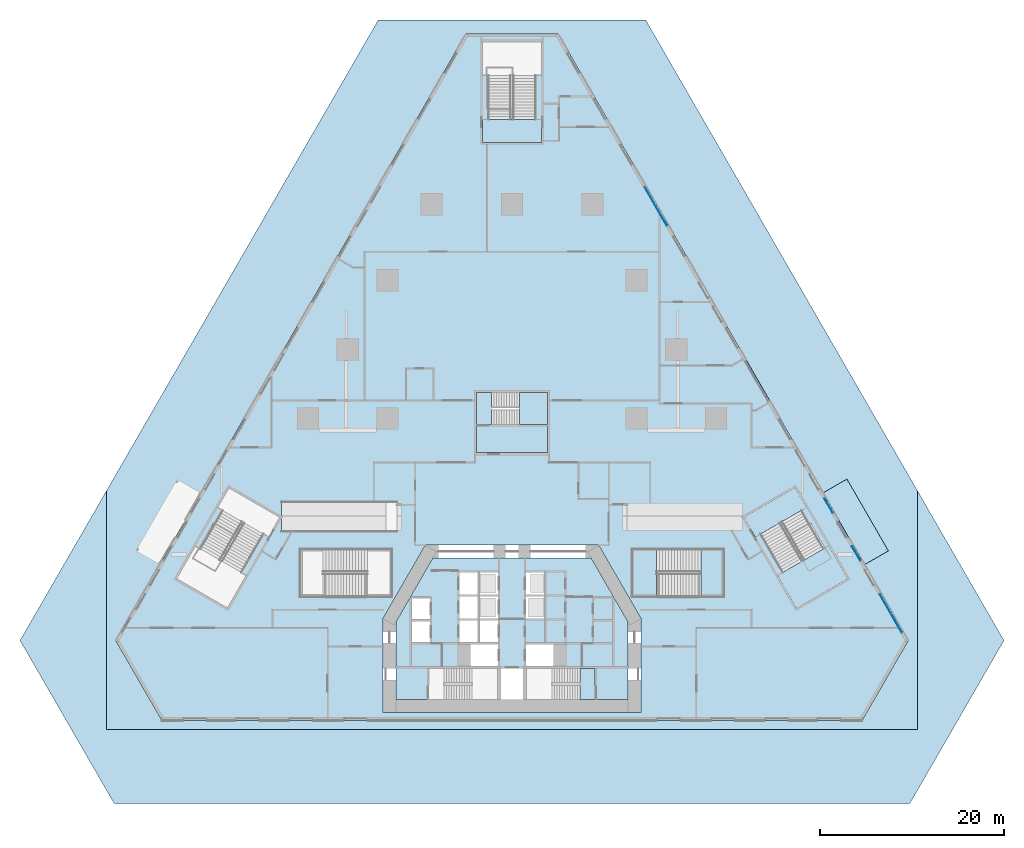
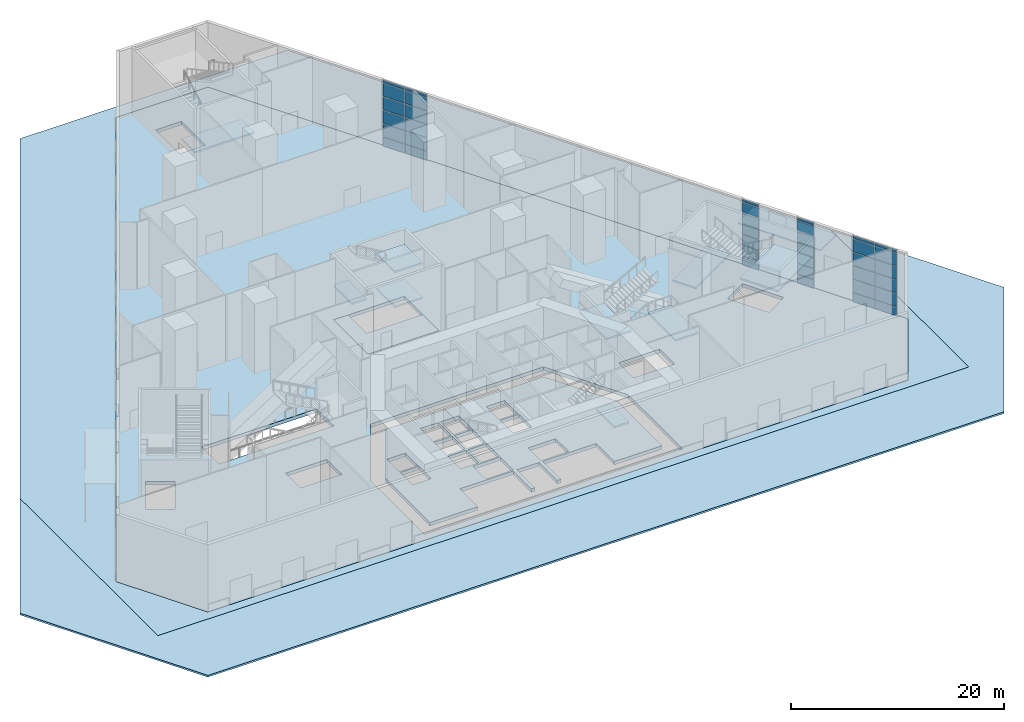
# One storey, part 10 of 24: 38 plates, 15 slabs, 9 elements without a shape of their own.
"""IFC4 building model written with IfcOpenShell, lengths in metres."""

from ifc_helpers import new_model, si_unit, direction, frame, origin, origin_2d, place, context, subcontext, project, spatial, polyline, rectangle, outline, extrude, material, layer, layer_set, type_object, element, aggregate, save


model = new_model("IFC4")

# Units and contexts
model_context = context("Model", 3, precision=1e-05, world=origin(), true_north=direction((0.0, 1.0)))
body_context = subcontext(model_context, "Body", "Model", "MODEL_VIEW")
ifc_project = project(units=[si_unit("LENGTHUNIT", "METRE"), si_unit("AREAUNIT", "SQUARE_METRE"), si_unit("VOLUMEUNIT", "CUBIC_METRE"), si_unit("PLANEANGLEUNIT", "RADIAN"), si_unit("MASSUNIT", "GRAM", prefix="KILO")], contexts=[model_context])

# Site, building, storey
site_placement = place(None, origin())
site = spatial("IfcSite", under=ifc_project, at=site_placement, CompositionType="ELEMENT")
building_placement = place(site_placement, origin())
building = spatial("IfcBuilding", under=site, at=building_placement, Name="Fogline Exchange Tower", CompositionType="ELEMENT")
storey_placement = place(building_placement, origin())
storey = spatial("IfcBuildingStorey", under=building, at=storey_placement, Name="L00", CompositionType="ELEMENT", Elevation=0.0)

# Slab
ifc_material_1 = material(Name="Steel Q355 grade B", Category="steel")
ifc_layer_1 = layer(ifc_material_1, 0.14990234375)
ifc_layer_set_1 = layer_set([ifc_layer_1], Name="CN1")
slab_type_1 = type_object("IfcSlabType", Name="CN1", PredefinedType="ROOF", material=ifc_layer_set_1)
slab_1_placement = place(storey_placement, frame((0.0, 0.0, 4.449951171875)))
element("IfcSlab", 1, at=slab_1_placement, inside=storey, type_object=slab_type_1, Name="Entrance canopy ST-E", PredefinedType="ROOF", context=body_context, shape_type="SweptSolid", body=[
    extrude(outline(polyline([(38.25, 16.887451171875), (40.84814453125, 18.387451171875), (36.34814453125, 26.181640625), (33.75, 24.681640625), (38.25, 16.887451171875)])), origin(), (0.0, 0.0, 1.0), 0.150146484375),
])

# Curtain wall, plates
ifc_material_2 = material(Name="Aluminium and glass", Category="aluminium")
curtain_wall_type_1 = type_object("IfcCurtainWallType", Name="CW1", PredefinedType="NOTDEFINED", material=ifc_material_2)
curtain_wall_1_placement = place(storey_placement, origin())
curtain_wall_1 = element("IfcCurtainWall", 2, at=curtain_wall_1_placement, inside=storey, type_object=curtain_wall_type_1, Name="CW1 L00 E run 2", PredefinedType="NOTDEFINED")
ifc_material_3 = material(Name="Glass", Category="glass")
ifc_layer_2 = layer(ifc_material_3, 0.035888671875)
ifc_layer_set_2 = layer_set([ifc_layer_2], Name="CW1-P")
plate_type_1 = type_object("IfcPlateType", Name="CW1-P", PredefinedType="CURTAIN_PANEL", material=ifc_layer_set_2)
plate_1_placement = place(storey_placement, frame((37.352783203125, 18.1015625, 0.080078125), z_axis=(0.0, 0.0, 1.0), x_axis=(-0.499999514416, 0.866025684137, 0.0)))
plate_1 = element("IfcPlate", 3, at=plate_1_placement, type_object=plate_type_1, Name="CW1-P00-01 panel 1.1", PredefinedType="CURTAIN_PANEL", context=body_context, shape_type="SweptSolid", body=[
    extrude(rectangle(XDim=1.764892578125, YDim=0.035888671875, at=origin_2d()), origin(), (0.0, 0.0, 1.0), 0.97998046875),
])
plate_2_placement = place(storey_placement, frame((37.352783203125, 18.1015625, 1.14013671875), z_axis=(0.0, 0.0, 1.0), x_axis=(-0.499999514416, 0.866025684137, 0.0)))
plate_2 = element("IfcPlate", 4, at=plate_2_placement, type_object=plate_type_1, Name="CW1-P00-01 panel 1.2", PredefinedType="CURTAIN_PANEL", context=body_context, shape_type="SweptSolid", body=[
    extrude(rectangle(XDim=1.764892578125, YDim=0.035888671875, at=origin_2d()), origin(), (0.0, 0.0, 1.0), 1.159912109375),
])
plate_3_placement = place(storey_placement, frame((37.352783203125, 18.1015625, 2.3798828125), z_axis=(0.0, 0.0, 1.0), x_axis=(-0.499999514416, 0.866025684137, 0.0)))
plate_3 = element("IfcPlate", 5, at=plate_3_placement, type_object=plate_type_1, Name="CW1-P00-01 panel 1.3", PredefinedType="CURTAIN_PANEL", context=body_context, shape_type="SweptSolid", body=[
    extrude(rectangle(XDim=1.764892578125, YDim=0.035888671875, at=origin_2d()), origin(), (0.0, 0.0, 1.0), 1.159912109375),
])
plate_4_placement = place(storey_placement, frame((37.352783203125, 18.1015625, 3.6201171875), z_axis=(0.0, 0.0, 1.0), x_axis=(-0.499999514416, 0.866025684137, 0.0)))
plate_4 = element("IfcPlate", 6, at=plate_4_placement, type_object=plate_type_1, Name="CW1-P00-01 panel 1.4", PredefinedType="CURTAIN_PANEL", context=body_context, shape_type="SweptSolid", body=[
    extrude(rectangle(XDim=1.764892578125, YDim=0.035888671875, at=origin_2d()), origin(), (0.0, 0.0, 1.0), 1.159912109375),
])
plate_5_placement = place(storey_placement, frame((37.352783203125, 18.1015625, 4.85986328125), z_axis=(0.0, 0.0, 1.0), x_axis=(-0.499999514416, 0.866025684137, 0.0)))
plate_5 = element("IfcPlate", 7, at=plate_5_placement, type_object=plate_type_1, Name="CW1-P00-01 panel 1.5", PredefinedType="CURTAIN_PANEL", context=body_context, shape_type="SweptSolid", body=[
    extrude(rectangle(XDim=1.764892578125, YDim=0.035888671875, at=origin_2d()), origin(), (0.0, 0.0, 1.0), 1.159912109375),
])
plate_6_placement = place(storey_placement, frame((37.352783203125, 18.1015625, 6.10009765625), z_axis=(0.0, 0.0, 1.0), x_axis=(-0.499999514416, 0.866025684137, 0.0)))
plate_6 = element("IfcPlate", 8, at=plate_6_placement, type_object=plate_type_1, Name="CW1-P00-01 panel 1.6", PredefinedType="CURTAIN_PANEL", context=body_context, shape_type="SweptSolid", body=[
    extrude(rectangle(XDim=1.764892578125, YDim=0.035888671875, at=origin_2d()), origin(), (0.0, 0.0, 1.0), 1.159912109375),
])
plate_7_placement = place(storey_placement, frame((37.352783203125, 18.1015625, 7.33984375), z_axis=(0.0, 0.0, 1.0), x_axis=(-0.499999514416, 0.866025684137, 0.0)))
plate_7 = element("IfcPlate", 9, at=plate_7_placement, type_object=plate_type_1, Name="CW1-P00-01 panel 1.7", PredefinedType="CURTAIN_PANEL", context=body_context, shape_type="SweptSolid", body=[
    extrude(rectangle(XDim=1.764892578125, YDim=0.035888671875, at=origin_2d()), origin(), (0.0, 0.0, 1.0), 0.280029296875),
])
aggregate(curtain_wall_1, [plate_1, plate_2, plate_3, plate_4, plate_5, plate_6, plate_7])

curtain_wall_2_placement = place(storey_placement, origin())
curtain_wall_2 = element("IfcCurtainWall", 10, at=curtain_wall_2_placement, inside=storey, type_object=curtain_wall_type_1, Name="CW1 L00 E run 3", PredefinedType="NOTDEFINED")
plate_8_placement = place(storey_placement, frame((34.352783203125, 23.297607421875, 0.080078125), z_axis=(0.0, 0.0, 1.0), x_axis=(-0.500001811561, 0.866024357877, 0.0)))
plate_8 = element("IfcPlate", 11, at=plate_8_placement, type_object=plate_type_1, Name="CW1-P00-02 panel 1.1", PredefinedType="CURTAIN_PANEL", context=body_context, shape_type="SweptSolid", body=[
    extrude(rectangle(XDim=1.764892578125, YDim=0.035888671875, at=origin_2d()), origin(), (0.0, 0.0, 1.0), 0.97998046875),
])
plate_9_placement = place(storey_placement, frame((34.352783203125, 23.297607421875, 1.14013671875), z_axis=(0.0, 0.0, 1.0), x_axis=(-0.500001811561, 0.866024357877, 0.0)))
plate_9 = element("IfcPlate", 12, at=plate_9_placement, type_object=plate_type_1, Name="CW1-P00-02 panel 1.2", PredefinedType="CURTAIN_PANEL", context=body_context, shape_type="SweptSolid", body=[
    extrude(rectangle(XDim=1.764892578125, YDim=0.035888671875, at=origin_2d()), origin(), (0.0, 0.0, 1.0), 1.159912109375),
])
plate_10_placement = place(storey_placement, frame((34.352783203125, 23.297607421875, 2.3798828125), z_axis=(0.0, 0.0, 1.0), x_axis=(-0.500001811561, 0.866024357877, 0.0)))
plate_10 = element("IfcPlate", 13, at=plate_10_placement, type_object=plate_type_1, Name="CW1-P00-02 panel 1.3", PredefinedType="CURTAIN_PANEL", context=body_context, shape_type="SweptSolid", body=[
    extrude(rectangle(XDim=1.764892578125, YDim=0.035888671875, at=origin_2d()), origin(), (0.0, 0.0, 1.0), 1.159912109375),
])
plate_11_placement = place(storey_placement, frame((34.352783203125, 23.297607421875, 3.6201171875), z_axis=(0.0, 0.0, 1.0), x_axis=(-0.500001811561, 0.866024357877, 0.0)))
plate_11 = element("IfcPlate", 14, at=plate_11_placement, type_object=plate_type_1, Name="CW1-P00-02 panel 1.4", PredefinedType="CURTAIN_PANEL", context=body_context, shape_type="SweptSolid", body=[
    extrude(rectangle(XDim=1.764892578125, YDim=0.035888671875, at=origin_2d()), origin(), (0.0, 0.0, 1.0), 1.159912109375),
])
plate_12_placement = place(storey_placement, frame((34.352783203125, 23.297607421875, 4.85986328125), z_axis=(0.0, 0.0, 1.0), x_axis=(-0.500001811561, 0.866024357877, 0.0)))
plate_12 = element("IfcPlate", 15, at=plate_12_placement, type_object=plate_type_1, Name="CW1-P00-02 panel 1.5", PredefinedType="CURTAIN_PANEL", context=body_context, shape_type="SweptSolid", body=[
    extrude(rectangle(XDim=1.764892578125, YDim=0.035888671875, at=origin_2d()), origin(), (0.0, 0.0, 1.0), 1.159912109375),
])
plate_13_placement = place(storey_placement, frame((34.352783203125, 23.297607421875, 6.10009765625), z_axis=(0.0, 0.0, 1.0), x_axis=(-0.500001811561, 0.866024357877, 0.0)))
plate_13 = element("IfcPlate", 16, at=plate_13_placement, type_object=plate_type_1, Name="CW1-P00-02 panel 1.6", PredefinedType="CURTAIN_PANEL", context=body_context, shape_type="SweptSolid", body=[
    extrude(rectangle(XDim=1.764892578125, YDim=0.035888671875, at=origin_2d()), origin(), (0.0, 0.0, 1.0), 1.159912109375),
])
plate_14_placement = place(storey_placement, frame((34.352783203125, 23.297607421875, 7.33984375), z_axis=(0.0, 0.0, 1.0), x_axis=(-0.500001811561, 0.866024357877, 0.0)))
plate_14 = element("IfcPlate", 17, at=plate_14_placement, type_object=plate_type_1, Name="CW1-P00-02 panel 1.7", PredefinedType="CURTAIN_PANEL", context=body_context, shape_type="SweptSolid", body=[
    extrude(rectangle(XDim=1.764892578125, YDim=0.035888671875, at=origin_2d()), origin(), (0.0, 0.0, 1.0), 0.280029296875),
])
aggregate(curtain_wall_2, [plate_8, plate_9, plate_10, plate_11, plate_12, plate_13, plate_14])

curtain_wall_type_2 = type_object("IfcCurtainWallType", Name="CW3", PredefinedType="NOTDEFINED", material=ifc_material_2)
curtain_wall_3_placement = place(storey_placement, origin())
curtain_wall_3 = element("IfcCurtainWall", 18, at=curtain_wall_3_placement, inside=storey, type_object=curtain_wall_type_2, Name="CW3 L00 E run 1", PredefinedType="NOTDEFINED")
ifc_layer_3 = layer(ifc_material_3, 0.028076171875)
ifc_layer_set_3 = layer_set([ifc_layer_3], Name="CW3-P")
plate_type_2 = type_object("IfcPlateType", Name="CW3-P", PredefinedType="CURTAIN_PANEL", material=ifc_layer_set_3)
plate_15_placement = place(storey_placement, frame((41.707275390625, 10.5595703125, 0.06005859375), z_axis=(0.0, 0.0, 1.0), x_axis=(-0.500000363213, 0.866025194083, 0.0)))
plate_15 = element("IfcPlate", 19, at=plate_15_placement, type_object=plate_type_2, Name="CW3-P00-01 panel 1.1", PredefinedType="CURTAIN_PANEL", context=body_context, shape_type="SweptSolid", body=[
    extrude(rectangle(XDim=2.367431640625, YDim=0.028076171875, at=origin_2d()), origin(), (0.0, 0.0, 1.0), 1.010009765625),
])
plate_16_placement = place(storey_placement, frame((41.707275390625, 10.5595703125, 1.1298828125), z_axis=(0.0, 0.0, 1.0), x_axis=(-0.500000363213, 0.866025194083, 0.0)))
plate_16 = element("IfcPlate", 20, at=plate_16_placement, type_object=plate_type_2, Name="CW3-P00-01 panel 1.2", PredefinedType="CURTAIN_PANEL", context=body_context, shape_type="SweptSolid", body=[
    extrude(rectangle(XDim=2.367431640625, YDim=0.028076171875, at=origin_2d()), origin(), (0.0, 0.0, 1.0), 1.489990234375),
])
plate_17_placement = place(storey_placement, frame((41.707275390625, 10.5595703125, 2.68017578125), z_axis=(0.0, 0.0, 1.0), x_axis=(-0.500000363213, 0.866025194083, 0.0)))
plate_17 = element("IfcPlate", 21, at=plate_17_placement, type_object=plate_type_2, Name="CW3-P00-01 panel 1.3", PredefinedType="CURTAIN_PANEL", context=body_context, shape_type="SweptSolid", body=[
    extrude(rectangle(XDim=2.367431640625, YDim=0.028076171875, at=origin_2d()), origin(), (0.0, 0.0, 1.0), 1.489990234375),
])
plate_18_placement = place(storey_placement, frame((41.707275390625, 10.5595703125, 4.22998046875), z_axis=(0.0, 0.0, 1.0), x_axis=(-0.500000363213, 0.866025194083, 0.0)))
plate_18 = element("IfcPlate", 22, at=plate_18_placement, type_object=plate_type_2, Name="CW3-P00-01 panel 1.4", PredefinedType="CURTAIN_PANEL", context=body_context, shape_type="SweptSolid", body=[
    extrude(rectangle(XDim=2.367431640625, YDim=0.028076171875, at=origin_2d()), origin(), (0.0, 0.0, 1.0), 1.489990234375),
])
plate_19_placement = place(storey_placement, frame((41.707275390625, 10.5595703125, 5.77978515625), z_axis=(0.0, 0.0, 1.0), x_axis=(-0.500000363213, 0.866025194083, 0.0)))
plate_19 = element("IfcPlate", 23, at=plate_19_placement, type_object=plate_type_2, Name="CW3-P00-01 panel 1.5", PredefinedType="CURTAIN_PANEL", context=body_context, shape_type="SweptSolid", body=[
    extrude(rectangle(XDim=2.367431640625, YDim=0.028076171875, at=origin_2d()), origin(), (0.0, 0.0, 1.0), 1.489990234375),
])
plate_20_placement = place(storey_placement, frame((41.707275390625, 10.5595703125, 7.330078125), z_axis=(0.0, 0.0, 1.0), x_axis=(-0.500000363213, 0.866025194083, 0.0)))
plate_20 = element("IfcPlate", 24, at=plate_20_placement, type_object=plate_type_2, Name="CW3-P00-01 panel 1.6", PredefinedType="CURTAIN_PANEL", context=body_context, shape_type="SweptSolid", body=[
    extrude(rectangle(XDim=2.367431640625, YDim=0.028076171875, at=origin_2d()), origin(), (0.0, 0.0, 1.0), 0.31005859375),
])
plate_21_placement = place(storey_placement, frame((40.498291015625, 12.653076171875, 0.06005859375), z_axis=(0.0, 0.0, 1.0), x_axis=(-0.500000363213, 0.866025194083, 0.0)))
plate_21 = element("IfcPlate", 25, at=plate_21_placement, type_object=plate_type_2, Name="CW3-P00-01 panel 2.1", PredefinedType="CURTAIN_PANEL", context=body_context, shape_type="SweptSolid", body=[
    extrude(rectangle(XDim=2.367431640625, YDim=0.028076171875, at=origin_2d()), origin(), (0.0, 0.0, 1.0), 1.010009765625),
])
plate_22_placement = place(storey_placement, frame((40.498291015625, 12.653076171875, 1.1298828125), z_axis=(0.0, 0.0, 1.0), x_axis=(-0.500000363213, 0.866025194083, 0.0)))
plate_22 = element("IfcPlate", 26, at=plate_22_placement, type_object=plate_type_2, Name="CW3-P00-01 panel 2.2", PredefinedType="CURTAIN_PANEL", context=body_context, shape_type="SweptSolid", body=[
    extrude(rectangle(XDim=2.367431640625, YDim=0.028076171875, at=origin_2d()), origin(), (0.0, 0.0, 1.0), 1.489990234375),
])
plate_23_placement = place(storey_placement, frame((40.498291015625, 12.653076171875, 2.68017578125), z_axis=(0.0, 0.0, 1.0), x_axis=(-0.500000363213, 0.866025194083, 0.0)))
plate_23 = element("IfcPlate", 27, at=plate_23_placement, type_object=plate_type_2, Name="CW3-P00-01 panel 2.3", PredefinedType="CURTAIN_PANEL", context=body_context, shape_type="SweptSolid", body=[
    extrude(rectangle(XDim=2.367431640625, YDim=0.028076171875, at=origin_2d()), origin(), (0.0, 0.0, 1.0), 1.489990234375),
])
plate_24_placement = place(storey_placement, frame((40.498291015625, 12.653076171875, 4.22998046875), z_axis=(0.0, 0.0, 1.0), x_axis=(-0.500000363213, 0.866025194083, 0.0)))
plate_24 = element("IfcPlate", 28, at=plate_24_placement, type_object=plate_type_2, Name="CW3-P00-01 panel 2.4", PredefinedType="CURTAIN_PANEL", context=body_context, shape_type="SweptSolid", body=[
    extrude(rectangle(XDim=2.367431640625, YDim=0.028076171875, at=origin_2d()), origin(), (0.0, 0.0, 1.0), 1.489990234375),
])
plate_25_placement = place(storey_placement, frame((40.498291015625, 12.653076171875, 5.77978515625), z_axis=(0.0, 0.0, 1.0), x_axis=(-0.500000363213, 0.866025194083, 0.0)))
plate_25 = element("IfcPlate", 29, at=plate_25_placement, type_object=plate_type_2, Name="CW3-P00-01 panel 2.5", PredefinedType="CURTAIN_PANEL", context=body_context, shape_type="SweptSolid", body=[
    extrude(rectangle(XDim=2.367431640625, YDim=0.028076171875, at=origin_2d()), origin(), (0.0, 0.0, 1.0), 1.489990234375),
])
plate_26_placement = place(storey_placement, frame((40.498291015625, 12.653076171875, 7.330078125), z_axis=(0.0, 0.0, 1.0), x_axis=(-0.500000363213, 0.866025194083, 0.0)))
plate_26 = element("IfcPlate", 30, at=plate_26_placement, type_object=plate_type_2, Name="CW3-P00-01 panel 2.6", PredefinedType="CURTAIN_PANEL", context=body_context, shape_type="SweptSolid", body=[
    extrude(rectangle(XDim=2.367431640625, YDim=0.028076171875, at=origin_2d()), origin(), (0.0, 0.0, 1.0), 0.31005859375),
])
aggregate(curtain_wall_3, [plate_15, plate_16, plate_17, plate_18, plate_19, plate_20, plate_21, plate_22, plate_23, plate_24, plate_25, plate_26])

curtain_wall_4_placement = place(storey_placement, origin())
curtain_wall_4 = element("IfcCurtainWall", 31, at=curtain_wall_4_placement, inside=storey, type_object=curtain_wall_type_2, Name="CW3 L00 E run 4", PredefinedType="NOTDEFINED")
plate_27_placement = place(storey_placement, frame((16.207275390625, 54.726806640625, 0.06005859375), z_axis=(0.0, 0.0, 1.0), x_axis=(-0.499999476794, 0.866025705857, 0.0)))
plate_27 = element("IfcPlate", 32, at=plate_27_placement, type_object=plate_type_2, Name="CW3-P00-02 panel 1.1", PredefinedType="CURTAIN_PANEL", context=body_context, shape_type="SweptSolid", body=[
    extrude(rectangle(XDim=2.367431640625, YDim=0.028076171875, at=origin_2d()), origin(), (0.0, 0.0, 1.0), 1.010009765625),
])
plate_28_placement = place(storey_placement, frame((16.207275390625, 54.726806640625, 1.1298828125), z_axis=(0.0, 0.0, 1.0), x_axis=(-0.499999476794, 0.866025705857, 0.0)))
plate_28 = element("IfcPlate", 33, at=plate_28_placement, type_object=plate_type_2, Name="CW3-P00-02 panel 1.2", PredefinedType="CURTAIN_PANEL", context=body_context, shape_type="SweptSolid", body=[
    extrude(rectangle(XDim=2.367431640625, YDim=0.028076171875, at=origin_2d()), origin(), (0.0, 0.0, 1.0), 1.489990234375),
])
plate_29_placement = place(storey_placement, frame((16.207275390625, 54.726806640625, 2.68017578125), z_axis=(0.0, 0.0, 1.0), x_axis=(-0.499999476794, 0.866025705857, 0.0)))
plate_29 = element("IfcPlate", 34, at=plate_29_placement, type_object=plate_type_2, Name="CW3-P00-02 panel 1.3", PredefinedType="CURTAIN_PANEL", context=body_context, shape_type="SweptSolid", body=[
    extrude(rectangle(XDim=2.367431640625, YDim=0.028076171875, at=origin_2d()), origin(), (0.0, 0.0, 1.0), 1.489990234375),
])
plate_30_placement = place(storey_placement, frame((16.207275390625, 54.726806640625, 4.22998046875), z_axis=(0.0, 0.0, 1.0), x_axis=(-0.499999476794, 0.866025705857, 0.0)))
plate_30 = element("IfcPlate", 35, at=plate_30_placement, type_object=plate_type_2, Name="CW3-P00-02 panel 1.4", PredefinedType="CURTAIN_PANEL", context=body_context, shape_type="SweptSolid", body=[
    extrude(rectangle(XDim=2.367431640625, YDim=0.028076171875, at=origin_2d()), origin(), (0.0, 0.0, 1.0), 1.489990234375),
])
plate_31_placement = place(storey_placement, frame((16.207275390625, 54.726806640625, 5.77978515625), z_axis=(0.0, 0.0, 1.0), x_axis=(-0.499999476794, 0.866025705857, 0.0)))
plate_31 = element("IfcPlate", 36, at=plate_31_placement, type_object=plate_type_2, Name="CW3-P00-02 panel 1.5", PredefinedType="CURTAIN_PANEL", context=body_context, shape_type="SweptSolid", body=[
    extrude(rectangle(XDim=2.367431640625, YDim=0.028076171875, at=origin_2d()), origin(), (0.0, 0.0, 1.0), 1.489990234375),
])
plate_32_placement = place(storey_placement, frame((16.207275390625, 54.726806640625, 7.330078125), z_axis=(0.0, 0.0, 1.0), x_axis=(-0.499999476794, 0.866025705857, 0.0)))
plate_32 = element("IfcPlate", 37, at=plate_32_placement, type_object=plate_type_2, Name="CW3-P00-02 panel 1.6", PredefinedType="CURTAIN_PANEL", context=body_context, shape_type="SweptSolid", body=[
    extrude(rectangle(XDim=2.367431640625, YDim=0.028076171875, at=origin_2d()), origin(), (0.0, 0.0, 1.0), 0.31005859375),
])
plate_33_placement = place(storey_placement, frame((14.998291015625, 56.820556640625, 0.06005859375), z_axis=(0.0, 0.0, 1.0), x_axis=(-0.499999476794, 0.866025705857, 0.0)))
plate_33 = element("IfcPlate", 38, at=plate_33_placement, type_object=plate_type_2, Name="CW3-P00-02 panel 2.1", PredefinedType="CURTAIN_PANEL", context=body_context, shape_type="SweptSolid", body=[
    extrude(rectangle(XDim=2.367431640625, YDim=0.028076171875, at=origin_2d()), origin(), (0.0, 0.0, 1.0), 1.010009765625),
])
plate_34_placement = place(storey_placement, frame((14.998291015625, 56.820556640625, 1.1298828125), z_axis=(0.0, 0.0, 1.0), x_axis=(-0.499999476794, 0.866025705857, 0.0)))
plate_34 = element("IfcPlate", 39, at=plate_34_placement, type_object=plate_type_2, Name="CW3-P00-02 panel 2.2", PredefinedType="CURTAIN_PANEL", context=body_context, shape_type="SweptSolid", body=[
    extrude(rectangle(XDim=2.367431640625, YDim=0.028076171875, at=origin_2d()), origin(), (0.0, 0.0, 1.0), 1.489990234375),
])
plate_35_placement = place(storey_placement, frame((14.998291015625, 56.820556640625, 2.68017578125), z_axis=(0.0, 0.0, 1.0), x_axis=(-0.499999476794, 0.866025705857, 0.0)))
plate_35 = element("IfcPlate", 40, at=plate_35_placement, type_object=plate_type_2, Name="CW3-P00-02 panel 2.3", PredefinedType="CURTAIN_PANEL", context=body_context, shape_type="SweptSolid", body=[
    extrude(rectangle(XDim=2.367431640625, YDim=0.028076171875, at=origin_2d()), origin(), (0.0, 0.0, 1.0), 1.489990234375),
])
plate_36_placement = place(storey_placement, frame((14.998291015625, 56.820556640625, 4.22998046875), z_axis=(0.0, 0.0, 1.0), x_axis=(-0.499999476794, 0.866025705857, 0.0)))
plate_36 = element("IfcPlate", 41, at=plate_36_placement, type_object=plate_type_2, Name="CW3-P00-02 panel 2.4", PredefinedType="CURTAIN_PANEL", context=body_context, shape_type="SweptSolid", body=[
    extrude(rectangle(XDim=2.367431640625, YDim=0.028076171875, at=origin_2d()), origin(), (0.0, 0.0, 1.0), 1.489990234375),
])
plate_37_placement = place(storey_placement, frame((14.998291015625, 56.820556640625, 5.77978515625), z_axis=(0.0, 0.0, 1.0), x_axis=(-0.499999476794, 0.866025705857, 0.0)))
plate_37 = element("IfcPlate", 42, at=plate_37_placement, type_object=plate_type_2, Name="CW3-P00-02 panel 2.5", PredefinedType="CURTAIN_PANEL", context=body_context, shape_type="SweptSolid", body=[
    extrude(rectangle(XDim=2.367431640625, YDim=0.028076171875, at=origin_2d()), origin(), (0.0, 0.0, 1.0), 1.489990234375),
])
plate_38_placement = place(storey_placement, frame((14.998291015625, 56.820556640625, 7.330078125), z_axis=(0.0, 0.0, 1.0), x_axis=(-0.499999476794, 0.866025705857, 0.0)))
plate_38 = element("IfcPlate", 43, at=plate_38_placement, type_object=plate_type_2, Name="CW3-P00-02 panel 2.6", PredefinedType="CURTAIN_PANEL", context=body_context, shape_type="SweptSolid", body=[
    extrude(rectangle(XDim=2.367431640625, YDim=0.028076171875, at=origin_2d()), origin(), (0.0, 0.0, 1.0), 0.31005859375),
])
aggregate(curtain_wall_4, [plate_27, plate_28, plate_29, plate_30, plate_31, plate_32, plate_33, plate_34, plate_35, plate_36, plate_37, plate_38])

# Stair, slabs
ifc_material_4 = material(Name="Concrete C40", Category="concrete")
stair_type_1 = type_object("IfcStairType", Name="PSF0-46-1739", PredefinedType="HALF_TURN_STAIR", material=ifc_material_4)
stair_1_placement = place(storey_placement, origin())
stair_1 = element("IfcStair", 44, at=stair_1_placement, inside=storey, type_object=stair_type_1, Name="Stair ST5", PredefinedType="HALF_TURN_STAIR")
ifc_layer_4 = layer(ifc_material_4, 0.199951171875)
ifc_layer_set_4 = layer_set([ifc_layer_4], Name="PSL1")
slab_type_2 = type_object("IfcSlabType", Name="PSL1", PredefinedType="LANDING", material=ifc_layer_set_4)
slab_2_placement = place(storey_placement, frame((0.0, 0.0, 2.40869140625)))
slab_2 = element("IfcSlab", 45, at=slab_2_placement, type_object=slab_type_2, Name="ST5 landing 1", PredefinedType="LANDING", context=body_context, shape_type="SweptSolid", body=[
    extrude(outline(polyline([(31.980224609375, 23.09765625), (30.7294921875, 25.2646484375), (25.16064453125, 22.0498046875), (26.41162109375, 19.8828125), (31.980224609375, 23.09765625)])), origin(), (0.0, 0.0, 1.0), 0.199951171875),
])
slab_3_placement = place(storey_placement, frame((0.0, 0.0, 5.19140625)))
slab_3 = element("IfcSlab", 46, at=slab_3_placement, type_object=slab_type_2, Name="ST5 landing 2", PredefinedType="LANDING", context=body_context, shape_type="SweptSolid", body=[
    extrude(outline(polyline([(36.444091796875, 15.36572265625), (34.378173828125, 18.9443359375), (28.8095703125, 15.729248046875), (30.87548828125, 12.15087890625), (36.444091796875, 15.36572265625)])), origin(), (0.0, 0.0, 1.0), 0.199951171875),
])
aggregate(stair_1, [slab_2, slab_3])

# Stair, slab
stair_2_placement = place(storey_placement, origin())
stair_2 = element("IfcStair", 47, at=stair_2_placement, inside=storey, type_object=stair_type_1, Name="Stair ST6", PredefinedType="HALF_TURN_STAIR")
slab_4_placement = place(storey_placement, frame((0.0, 0.0, 2.40869140625)))
slab_4 = element("IfcSlab", 48, at=slab_4_placement, type_object=slab_type_2, Name="ST6 landing 1", PredefinedType="LANDING", context=body_context, shape_type="SweptSolid", body=[
    extrude(outline(polyline([(-3.215087890625, 65.18701171875), (-3.215087890625, 62.68505859375), (3.215087890625, 62.68505859375), (3.215087890625, 65.18701171875), (-3.215087890625, 65.18701171875)])), origin(), (0.0, 0.0, 1.0), 0.199951171875),
])
aggregate(stair_2, [slab_4])

# Stair, slabs
stair_3_placement = place(storey_placement, origin())
stair_3 = element("IfcStair", 49, at=stair_3_placement, inside=storey, type_object=stair_type_1, Name="Public stair PS2", PredefinedType="HALF_TURN_STAIR")
slab_5_placement = place(storey_placement, frame((0.0, 0.0, 2.40869140625)))
slab_5 = element("IfcSlab", 50, at=slab_5_placement, type_object=slab_type_2, Name="PS2 landing 1", PredefinedType="LANDING", context=body_context, shape_type="SweptSolid", body=[
    extrude(outline(polyline([(23.0, 13.39990234375), (20.498046875, 13.39990234375), (20.498046875, 18.60009765625), (23.0, 18.60009765625), (23.0, 13.39990234375)])), origin(), (0.0, 0.0, 1.0), 0.199951171875),
])
slab_6_placement = place(storey_placement, frame((0.0, 0.0, 5.19140625)))
slab_6 = element("IfcSlab", 51, at=slab_6_placement, type_object=slab_type_2, Name="PS2 landing 2", PredefinedType="LANDING", context=body_context, shape_type="SweptSolid", body=[
    extrude(outline(polyline([(15.701904296875, 13.39990234375), (13.0, 13.39990234375), (13.0, 18.60009765625), (15.701904296875, 18.60009765625), (15.701904296875, 13.39990234375)])), origin(), (0.0, 0.0, 1.0), 0.199951171875),
])
aggregate(stair_3, [slab_5, slab_6])

# Slabs
ifc_material_5 = material(Name="Granite paving", Category="masonry")
ifc_layer_5 = layer(ifc_material_5, 0.419921875)
ifc_layer_set_5 = layer_set([ifc_layer_5], Name="PV1")
slab_type_3 = type_object("IfcSlabType", Name="PV1", PredefinedType="USERDEFINED", material=ifc_layer_set_5)
slab_7_placement = place(storey_placement, frame((0.0, 0.0, -0.419921875)))
element("IfcSlab", 52, at=slab_7_placement, inside=storey, type_object=slab_type_3, Name="Forecourt paving", ObjectType="PAVING", PredefinedType="USERDEFINED", context=body_context, shape_type="SweptSolid", body=[
    extrude(outline(polyline([(44.0, 24.92822265625), (14.513671875, 76.0), (-14.513671875, 76.0), (-44.0, 24.92822265625), (-44.0, -1.0), (44.0, -1.0), (44.0, 24.92822265625)]), holes=[polyline([(38.0, 0.0), (-38.0, 0.0), (-43.0, 8.660400390625), (-5.0, 74.478271484375), (5.0, 74.478271484375), (43.0, 8.660400390625), (38.0, 0.0)])]), origin(), (0.0, 0.0, 1.0), 0.419921875),
])
ifc_layer_6 = layer(ifc_material_5, 0.199951171875)
ifc_layer_set_6 = layer_set([ifc_layer_6], Name="PV2")
slab_type_4 = type_object("IfcSlabType", Name="PV2", PredefinedType="USERDEFINED", material=ifc_layer_set_6)
slab_8_placement = place(storey_placement, frame((0.0, 0.0, -0.199951171875)))
element("IfcSlab", 53, at=slab_8_placement, inside=storey, type_object=slab_type_4, Name="Footway paving", ObjectType="PAVING", PredefinedType="USERDEFINED", context=body_context, shape_type="SweptSolid", body=[
    extrude(outline(polyline([(53.392333984375, 8.660400390625), (44.0, 24.92822265625), (44.0, -1.0), (-44.0, -1.0), (-44.0, 24.92822265625), (-53.392333984375, 8.660400390625), (-43.1962890625, -9.0), (43.1962890625, -9.0), (53.392333984375, 8.660400390625)])), origin(), (0.0, 0.0, 1.0), 0.199951171875),
])
ifc_layer_7 = layer(ifc_material_4, 0.39990234375)
ifc_layer_set_7 = layer_set([ifc_layer_7], Name="S03")
slab_type_5 = type_object("IfcSlabType", Name="S03", PredefinedType="FLOOR", material=ifc_layer_set_7)
slab_9_placement = place(storey_placement, frame((0.0, 0.0, -0.39990234375)))
element("IfcSlab", 54, at=slab_9_placement, inside=storey, type_object=slab_type_5, Name="SLAB L00", PredefinedType="FLOOR", context=body_context, shape_type="SweptSolid", body=[
    extrude(outline(polyline([(43.0, 8.660400390625), (5.0, 74.478271484375), (-5.0, 74.478271484375), (-43.0, 8.660400390625), (-38.0, 0.0), (38.0, 0.0), (43.0, 8.660400390625)]), holes=[polyline([(9.41162109375, 19.0), (14.0, 11.052490234375), (14.0, 0.85009765625), (-14.0, 0.85009765625), (-14.0, 11.052490234375), (-9.41162109375, 19.0), (9.41162109375, 19.0)]), polyline([(-20.300048828125, 13.25), (-20.300048828125, 16.050048828125), (-15.822021484375, 16.050048828125), (-15.822021484375, 13.25), (-20.300048828125, 13.25)]), polyline([(15.822021484375, 16.050048828125), (20.300048828125, 16.050048828125), (20.300048828125, 13.25), (15.822021484375, 13.25), (15.822021484375, 16.050048828125)]), polyline([(-29.966796875, 20.055419921875), (-32.20556640625, 16.17724609375), (-34.630615234375, 17.5771484375), (-32.3916015625, 21.455322265625), (-29.966796875, 20.055419921875)]), polyline([(29.966796875, 20.055419921875), (32.3916015625, 21.455322265625), (34.630615234375, 17.5771484375), (32.20556640625, 16.17724609375), (29.966796875, 20.055419921875)]), polyline([(-25.0, 20.5), (-25.0, 23.699951171875), (-12.5, 23.699951171875), (-12.5, 20.5), (-25.0, 20.5)]), polyline([(-2.75, 66.364990234375), (-2.75, 70.843017578125), (0.050048828125, 70.843017578125), (0.050048828125, 66.364990234375), (-2.75, 66.364990234375)]), polyline([(3.85009765625, 35.556884765625), (3.85009765625, 29.056884765625), (-3.85009765625, 29.056884765625), (-3.85009765625, 35.556884765625), (3.85009765625, 35.556884765625)])]), origin(), (0.0, 0.0, 1.0), 0.39990234375),
])
slab_10_placement = place(storey_placement, frame((0.0, 0.0, -0.39990234375)))
element("IfcSlab", 55, at=slab_10_placement, inside=storey, type_object=slab_type_5, Name="Core floor slab", PredefinedType="FLOOR", context=body_context, shape_type="SweptSolid", body=[
    extrude(outline(polyline([(-12.60009765625, 2.25), (-12.60009765625, 10.677490234375), (-8.603271484375, 17.60009765625), (8.603271484375, 17.60009765625), (12.60009765625, 10.677490234375), (12.60009765625, 2.25), (7.389892578125, 2.25), (7.389892578125, 5.64990234375), (1.60009765625, 5.64990234375), (1.60009765625, 2.25), (1.199951171875, 2.25), (1.199951171875, 5.64990234375), (-1.199951171875, 5.64990234375), (-1.199951171875, 2.25), (-1.60009765625, 2.25), (-1.60009765625, 5.64990234375), (-7.389892578125, 5.64990234375), (-7.389892578125, 2.25), (-12.60009765625, 2.25)]), holes=[polyline([(-1.5, 8.25), (-4.5, 8.25), (-4.5, 5.85009765625), (-1.5, 5.85009765625), (-1.5, 8.25)]), polyline([(-8.89990234375, 10.75), (-10.89990234375, 10.75), (-10.89990234375, 8.449951171875), (-8.89990234375, 8.449951171875), (-8.89990234375, 10.75)]), polyline([(-3.699951171875, 10.85009765625), (-5.699951171875, 10.85009765625), (-5.699951171875, 8.449951171875), (-3.699951171875, 8.449951171875), (-3.699951171875, 10.85009765625)]), polyline([(-1.5, 10.85009765625), (-3.5, 10.85009765625), (-3.5, 8.449951171875), (-1.5, 8.449951171875), (-1.5, 10.85009765625)]), polyline([(-8.89990234375, 13.25), (-10.89990234375, 13.25), (-10.89990234375, 10.949951171875), (-8.89990234375, 10.949951171875), (-8.89990234375, 13.25)]), polyline([(-3.699951171875, 13.449951171875), (-5.699951171875, 13.449951171875), (-5.699951171875, 11.050048828125), (-3.699951171875, 11.050048828125), (-3.699951171875, 13.449951171875)]), polyline([(-3.699951171875, 16.050048828125), (-5.699951171875, 16.050048828125), (-5.699951171875, 13.64990234375), (-3.699951171875, 13.64990234375), (-3.699951171875, 16.050048828125)]), polyline([(4.5, 8.25), (1.5, 8.25), (1.5, 5.85009765625), (4.5, 5.85009765625), (4.5, 8.25)]), polyline([(-1.5, 13.449951171875), (-3.5, 13.449951171875), (-3.5, 11.050048828125), (-1.5, 11.050048828125), (-1.5, 13.449951171875)]), polyline([(3.5, 13.449951171875), (1.5, 13.449951171875), (1.5, 11.050048828125), (3.5, 11.050048828125), (3.5, 13.449951171875)]), polyline([(-1.5, 16.050048828125), (-3.5, 16.050048828125), (-3.5, 13.64990234375), (-1.5, 13.64990234375), (-1.5, 16.050048828125)]), polyline([(3.5, 16.050048828125), (1.5, 16.050048828125), (1.5, 13.64990234375), (3.5, 13.64990234375), (3.5, 16.050048828125)])]), origin(), (0.0, 0.0, 1.0), 0.39990234375),
])
slab_11_placement = place(storey_placement, frame((0.0, 0.0, -0.39990234375)))
element("IfcSlab", 56, at=slab_11_placement, inside=storey, type_object=slab_type_5, Name="Stair enclosure floor slab", PredefinedType="FLOOR", context=body_context, shape_type="SweptSolid", body=[
    extrude(outline(polyline([(3.85009765625, 29.056884765625), (-3.85009765625, 29.056884765625), (-3.85009765625, 35.556884765625), (-2.239990234375, 35.556884765625), (-2.239990234375, 32.10693359375), (3.85009765625, 32.10693359375), (3.85009765625, 29.056884765625)])), origin(), (0.0, 0.0, 1.0), 0.39990234375),
])

# Stair, slab
stair_type_2 = type_object("IfcStairType", Name="STR48-1667", PredefinedType="HALF_TURN_STAIR", material=ifc_material_4)
stair_4_placement = place(storey_placement, origin())
stair_4 = element("IfcStair", 57, at=stair_4_placement, inside=storey, type_object=stair_type_2, Name="Stair ST2", PredefinedType="HALF_TURN_STAIR")
ifc_layer_8 = layer(ifc_material_4, 0.199951171875)
ifc_layer_set_8 = layer_set([ifc_layer_8], Name="SL200")
slab_type_6 = type_object("IfcSlabType", Name="SL200", PredefinedType="LANDING", material=ifc_layer_set_8)
slab_12_placement = place(storey_placement, frame((0.0, 0.0, 3.800048828125)))
slab_12 = element("IfcSlab", 58, at=slab_12_placement, type_object=slab_type_6, Name="ST2 landing 2", PredefinedType="LANDING", context=body_context, shape_type="SweptSolid", body=[
    extrude(outline(polyline([(7.39990234375, 2.25), (9.0, 2.25), (9.0, 5.64990234375), (7.39990234375, 5.64990234375), (7.39990234375, 2.25)])), origin(), (0.0, 0.0, 1.0), 0.199951171875),
])
aggregate(stair_4, [slab_12])

# Stair, slabs
stair_5_placement = place(storey_placement, origin())
stair_5 = element("IfcStair", 59, at=stair_5_placement, inside=storey, type_object=stair_type_2, Name="Stair ST3", PredefinedType="HALF_TURN_STAIR")
slab_13_placement = place(storey_placement, frame((0.0, 0.0, 1.800048828125)))
slab_13 = element("IfcSlab", 60, at=slab_13_placement, type_object=slab_type_6, Name="ST3 landing 1", PredefinedType="LANDING", context=body_context, shape_type="SweptSolid", body=[
    extrude(outline(polyline([(0.830078125, 32.10693359375), (3.85009765625, 32.10693359375), (3.85009765625, 35.556884765625), (0.830078125, 35.556884765625), (0.830078125, 32.10693359375)])), origin(), (0.0, 0.0, 1.0), 0.199951171875),
])
slab_14_placement = place(storey_placement, frame((0.0, 0.0, 3.800048828125)))
slab_14 = element("IfcSlab", 61, at=slab_14_placement, type_object=slab_type_6, Name="ST3 landing 2", PredefinedType="LANDING", context=body_context, shape_type="SweptSolid", body=[
    extrude(outline(polyline([(-3.85009765625, 32.10693359375), (-2.25, 32.10693359375), (-2.25, 35.556884765625), (-3.85009765625, 35.556884765625), (-3.85009765625, 32.10693359375)])), origin(), (0.0, 0.0, 1.0), 0.199951171875),
])
slab_15_placement = place(storey_placement, frame((0.0, 0.0, 5.800048828125)))
slab_15 = element("IfcSlab", 62, at=slab_15_placement, type_object=slab_type_6, Name="ST3 landing 3", PredefinedType="LANDING", context=body_context, shape_type="SweptSolid", body=[
    extrude(outline(polyline([(0.830078125, 32.10693359375), (3.85009765625, 32.10693359375), (3.85009765625, 35.556884765625), (0.830078125, 35.556884765625), (0.830078125, 32.10693359375)])), origin(), (0.0, 0.0, 1.0), 0.199951171875),
])
aggregate(stair_5, [slab_13, slab_14, slab_15])

save(model, "model.ifc")
